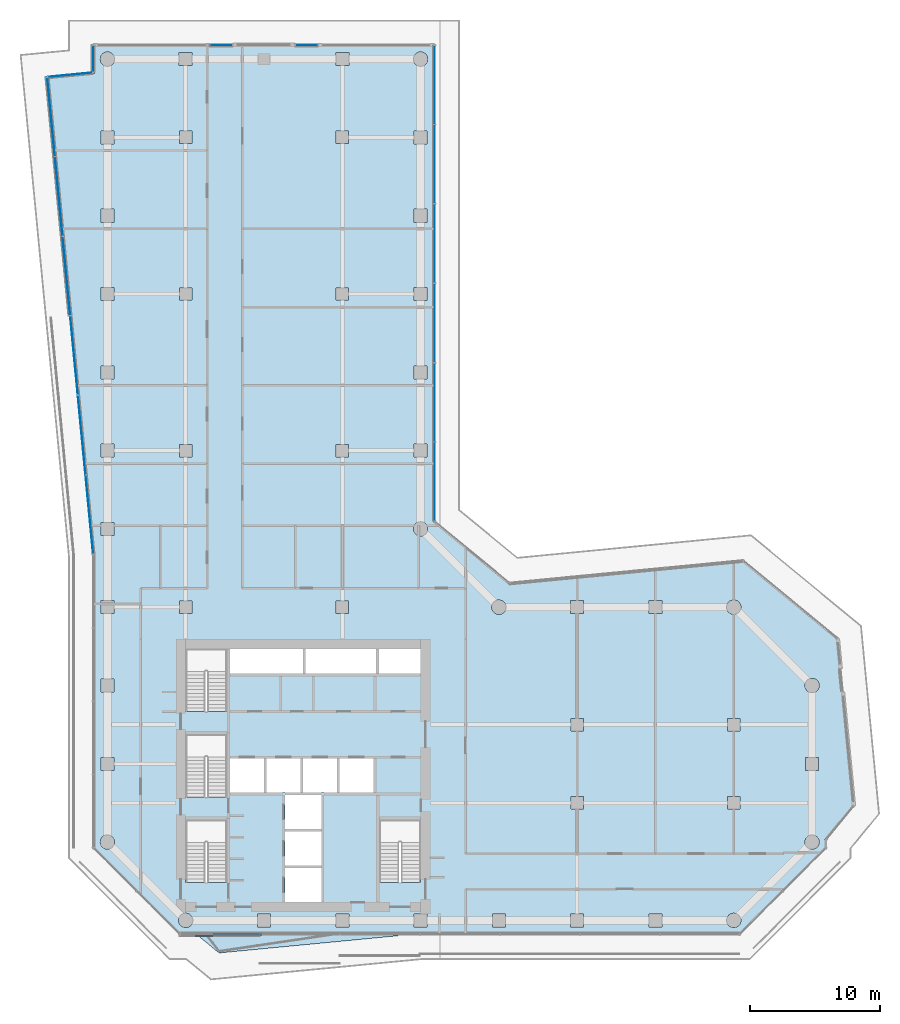
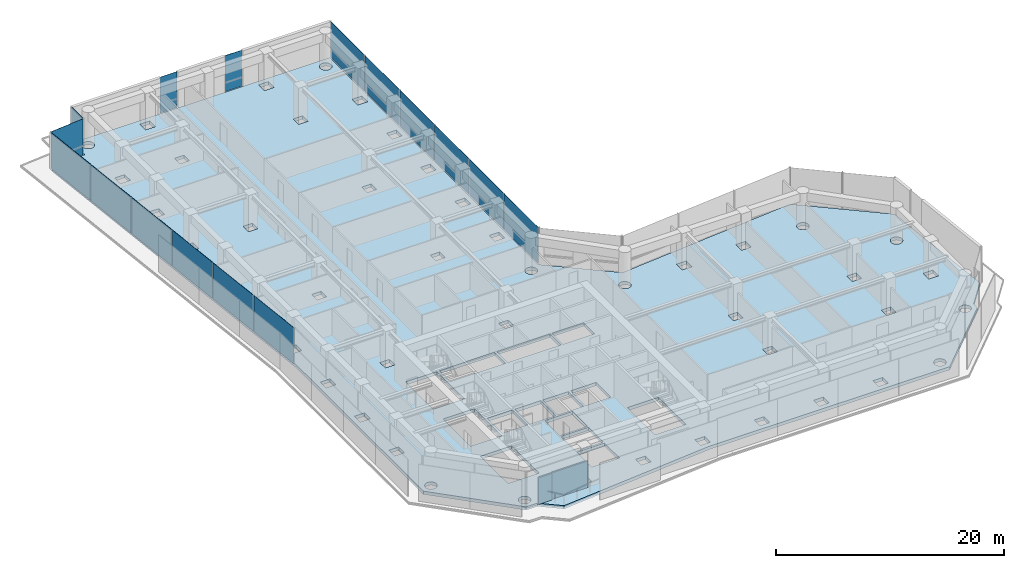
# One storey, part 22 of 28: 16 plates, 2 walls, 1 slab, 6 elements without a shape of their own.
"""IFC4 building model written with IfcOpenShell, lengths in metres."""

from ifc_helpers import new_model, si_unit, direction, frame, frame_2d, origin, origin_2d, place, context, subcontext, project, spatial, polyline, rectangle, outline, extrude, material, layer, layer_set, type_object, element, aggregate, save


model = new_model("IFC4")

# Units and contexts
model_context = context("Model", 3, precision=1e-05, world=origin(), true_north=direction((0.0, 1.0)))
body_context = subcontext(model_context, "Body", "Model", "MODEL_VIEW")
ifc_project = project(units=[si_unit("LENGTHUNIT", "METRE"), si_unit("AREAUNIT", "SQUARE_METRE"), si_unit("VOLUMEUNIT", "CUBIC_METRE"), si_unit("PLANEANGLEUNIT", "RADIAN"), si_unit("MASSUNIT", "GRAM", prefix="KILO")], contexts=[model_context])

# Site, building, storey
site_placement = place(None, origin())
site = spatial("IfcSite", under=ifc_project, at=site_placement, CompositionType="ELEMENT")
building_placement = place(site_placement, origin())
building = spatial("IfcBuilding", under=site, at=building_placement, Name="Welwitschia Terrace Campus", CompositionType="ELEMENT")
storey_placement = place(building_placement, frame((0.0, 0.0, 87.800048828125)))
storey = spatial("IfcBuildingStorey", under=building, at=storey_placement, Name="L19", CompositionType="ELEMENT", Elevation=87.800048828125)

# Curtain wall, plates
ifc_material_1 = material(Name="Bronze anodised aluminium", Category="aluminium")
ifc_layer_1 = layer(ifc_material_1, 0.1201171875)
ifc_layer_set_1 = layer_set([ifc_layer_1], Name="Bronze anodised aluminium")
curtain_wall_type = type_object("IfcCurtainWallType", Name="Curtain wall CW2 tower 6000", PredefinedType="NOTDEFINED", material=ifc_layer_set_1)
curtain_wall_1_placement = place(storey_placement, origin())
curtain_wall_1 = element("IfcCurtainWall", 1, at=curtain_wall_1_placement, inside=storey, type_object=curtain_wall_type, Name="CW L19.0.0", PredefinedType="NOTDEFINED")
ifc_material_2 = material(Name="Tinted bronze-grey glass", Category="glass")
ifc_layer_2 = layer(ifc_material_2, 0.028076171875)
ifc_layer_set_2 = layer_set([ifc_layer_2], Name="Tinted bronze-grey glass")
plate_type = type_object("IfcPlateType", Name="Glass panel 28 tinted", PredefinedType="CURTAIN_PANEL", material=ifc_layer_set_2)
plate_1_placement = place(storey_placement, frame((-4.314697265625, 65.569091796875, 0.0), z_axis=(0.0, 0.0, 1.0), x_axis=(0.09584575252, -0.995396198367, 0.0)))
plate_1 = element("IfcPlate", 2, at=plate_1_placement, type_object=plate_type, Name="Panel L19.0.0.0", PredefinedType="CURTAIN_PANEL", context=body_context, shape_type="SweptSolid", body=[
    extrude(rectangle(XDim=6.037353515625, YDim=0.028076171875, at=origin_2d()), origin(), (0.0, 0.0, 1.0), 3.85009765625),
])
plate_2_placement = place(storey_placement, frame((-3.728759765625, 59.48486328125, 0.0), z_axis=(0.0, 0.0, 1.0), x_axis=(0.09584575252, -0.995396198367, 0.0)))
plate_2 = element("IfcPlate", 3, at=plate_2_placement, type_object=plate_type, Name="Panel L19.0.0.1", PredefinedType="CURTAIN_PANEL", context=body_context, shape_type="SweptSolid", body=[
    extrude(rectangle(XDim=6.0673828125, YDim=0.028076171875, at=origin_2d()), origin(), (0.0, 0.0, 1.0), 3.85009765625),
])
plate_3_placement = place(storey_placement, frame((-3.1416015625, 53.3857421875, 0.0), z_axis=(0.0, 0.0, 1.0), x_axis=(0.09584575252, -0.995396198367, 0.0)))
plate_3 = element("IfcPlate", 4, at=plate_3_placement, type_object=plate_type, Name="Panel L19.0.0.2", PredefinedType="CURTAIN_PANEL", context=body_context, shape_type="SweptSolid", body=[
    extrude(rectangle(XDim=6.0673828125, YDim=0.028076171875, at=origin_2d()), origin(), (0.0, 0.0, 1.0), 3.85009765625),
])
plate_4_placement = place(storey_placement, frame((-2.55419921875, 47.28662109375, 0.0), z_axis=(0.0, 0.0, 1.0), x_axis=(0.09584575252, -0.995396198367, 0.0)))
plate_4 = element("IfcPlate", 5, at=plate_4_placement, type_object=plate_type, Name="Panel L19.0.0.3", PredefinedType="CURTAIN_PANEL", context=body_context, shape_type="SweptSolid", body=[
    extrude(rectangle(XDim=6.0673828125, YDim=0.028076171875, at=origin_2d()), origin(), (0.0, 0.0, 1.0), 3.85009765625),
])
plate_5_placement = place(storey_placement, frame((-1.967041015625, 41.1875, 0.0), z_axis=(0.0, 0.0, 1.0), x_axis=(0.09584575252, -0.995396198367, 0.0)))
plate_5 = element("IfcPlate", 6, at=plate_5_placement, type_object=plate_type, Name="Panel L19.0.0.4", PredefinedType="CURTAIN_PANEL", context=body_context, shape_type="SweptSolid", body=[
    extrude(rectangle(XDim=6.0673828125, YDim=0.028076171875, at=origin_2d()), origin(), (0.0, 0.0, 1.0), 3.85009765625),
])
plate_6_placement = place(storey_placement, frame((-1.381103515625, 35.103271484375, 0.0), z_axis=(0.0, 0.0, 1.0), x_axis=(0.09584575252, -0.995396198367, 0.0)))
plate_6 = element("IfcPlate", 7, at=plate_6_placement, type_object=plate_type, Name="Panel L19.0.0.5", PredefinedType="CURTAIN_PANEL", context=body_context, shape_type="SweptSolid", body=[
    extrude(rectangle(XDim=6.037353515625, YDim=0.028076171875, at=origin_2d()), origin(), (0.0, 0.0, 1.0), 3.85009765625),
])
aggregate(curtain_wall_1, [plate_1, plate_2, plate_3, plate_4, plate_5, plate_6])

curtain_wall_2_placement = place(storey_placement, origin())
curtain_wall_2 = element("IfcCurtainWall", 8, at=curtain_wall_2_placement, inside=storey, type_object=curtain_wall_type, Name="CW L19.11.0", PredefinedType="NOTDEFINED")
plate_7_placement = place(storey_placement, frame((25.0859375, 37.62353515625, 0.0), z_axis=(0.0, 0.0, 1.0), x_axis=(0.0, 1.0, 0.0)))
plate_7 = element("IfcPlate", 9, at=plate_7_placement, type_object=plate_type, Name="Panel L19.11.0.0", PredefinedType="CURTAIN_PANEL", context=body_context, shape_type="SweptSolid", body=[
    extrude(rectangle(XDim=5.996826171875, YDim=0.028076171875, at=origin_2d()), origin(), (0.0, 0.0, 1.0), 3.85009765625),
])
plate_8_placement = place(storey_placement, frame((25.0859375, 43.695556640625, 0.0), z_axis=(0.0, 0.0, 1.0), x_axis=(0.0, 1.0, 0.0)))
plate_8 = element("IfcPlate", 10, at=plate_8_placement, type_object=plate_type, Name="Panel L19.11.0.1", PredefinedType="CURTAIN_PANEL", context=body_context, shape_type="SweptSolid", body=[
    extrude(rectangle(XDim=6.02685546875, YDim=0.028076171875, at=origin_2d()), origin(), (0.0, 0.0, 1.0), 3.85009765625),
])
plate_9_placement = place(storey_placement, frame((25.0859375, 49.7822265625, 0.0), z_axis=(0.0, 0.0, 1.0), x_axis=(0.0, 1.0, 0.0)))
plate_9 = element("IfcPlate", 11, at=plate_9_placement, type_object=plate_type, Name="Panel L19.11.0.2", PredefinedType="CURTAIN_PANEL", context=body_context, shape_type="SweptSolid", body=[
    extrude(rectangle(XDim=6.02685546875, YDim=0.028076171875, at=origin_2d()), origin(), (0.0, 0.0, 1.0), 3.85009765625),
])
plate_10_placement = place(storey_placement, frame((25.0859375, 55.869140625, 0.0), z_axis=(0.0, 0.0, 1.0), x_axis=(0.0, 1.0, 0.0)))
plate_10 = element("IfcPlate", 12, at=plate_10_placement, type_object=plate_type, Name="Panel L19.11.0.3", PredefinedType="CURTAIN_PANEL", context=body_context, shape_type="SweptSolid", body=[
    extrude(rectangle(XDim=6.02685546875, YDim=0.028076171875, at=origin_2d()), origin(), (0.0, 0.0, 1.0), 3.85009765625),
])
plate_11_placement = place(storey_placement, frame((25.0859375, 61.955810546875, 0.0), z_axis=(0.0, 0.0, 1.0), x_axis=(0.0, 1.0, 0.0)))
plate_11 = element("IfcPlate", 13, at=plate_11_placement, type_object=plate_type, Name="Panel L19.11.0.4", PredefinedType="CURTAIN_PANEL", context=body_context, shape_type="SweptSolid", body=[
    extrude(rectangle(XDim=6.02685546875, YDim=0.028076171875, at=origin_2d()), origin(), (0.0, 0.0, 1.0), 3.85009765625),
])
plate_12_placement = place(storey_placement, frame((25.0859375, 68.027587890625, 0.0), z_axis=(0.0, 0.0, 1.0), x_axis=(0.0, 1.0, 0.0)))
plate_12 = element("IfcPlate", 14, at=plate_12_placement, type_object=plate_type, Name="Panel L19.11.0.5", PredefinedType="CURTAIN_PANEL", context=body_context, shape_type="SweptSolid", body=[
    extrude(rectangle(XDim=5.996826171875, YDim=0.028076171875, at=origin_2d()), origin(), (0.0, 0.0, 1.0), 3.85009765625),
])
aggregate(curtain_wall_2, [plate_7, plate_8, plate_9, plate_10, plate_11, plate_12])

# Curtain wall, plate
curtain_wall_3_placement = place(storey_placement, origin())
curtain_wall_3 = element("IfcCurtainWall", 15, at=curtain_wall_3_placement, inside=storey, type_object=curtain_wall_type, Name="CW L19.12.S0", PredefinedType="NOTDEFINED")
plate_13_placement = place(storey_placement, frame((15.271484375, 71.0859375, 0.0), z_axis=(0.0, 0.0, 1.0), x_axis=(-1.0, 0.0, 0.0)))
plate_13 = element("IfcPlate", 16, at=plate_13_placement, type_object=plate_type, Name="Panel L19.12.S0.0", PredefinedType="CURTAIN_PANEL", context=body_context, shape_type="SweptSolid", body=[
    extrude(rectangle(XDim=1.679931640625, YDim=0.028076171875, at=origin_2d()), origin(), (0.0, 0.0, 1.0), 3.85009765625),
])
aggregate(curtain_wall_3, [plate_13])

curtain_wall_4_placement = place(storey_placement, origin())
curtain_wall_4 = element("IfcCurtainWall", 17, at=curtain_wall_4_placement, inside=storey, type_object=curtain_wall_type, Name="CW L19.12.S1", PredefinedType="NOTDEFINED")
plate_14_placement = place(storey_placement, frame((8.728515625, 71.0859375, 0.0), z_axis=(0.0, 0.0, 1.0), x_axis=(-1.0, 0.0, 0.0)))
plate_14 = element("IfcPlate", 18, at=plate_14_placement, type_object=plate_type, Name="Panel L19.12.S1.0", PredefinedType="CURTAIN_PANEL", context=body_context, shape_type="SweptSolid", body=[
    extrude(rectangle(XDim=1.679931640625, YDim=0.028076171875, at=origin_2d()), origin(), (0.0, 0.0, 1.0), 3.85009765625),
])
aggregate(curtain_wall_4, [plate_14])

curtain_wall_5_placement = place(storey_placement, origin())
curtain_wall_5 = element("IfcCurtainWall", 19, at=curtain_wall_5_placement, inside=storey, type_object=curtain_wall_type, Name="CW L19.13.0", PredefinedType="NOTDEFINED")
plate_15_placement = place(storey_placement, frame((-1.0859375, 70.029541015625, 0.0), z_axis=(0.0, 0.0, 1.0), x_axis=(0.0, -1.0, 0.0)))
plate_15 = element("IfcPlate", 20, at=plate_15_placement, type_object=plate_type, Name="Panel L19.13.0.0", PredefinedType="CURTAIN_PANEL", context=body_context, shape_type="SweptSolid", body=[
    extrude(rectangle(XDim=1.992919921875, YDim=0.028076171875, at=origin_2d()), origin(), (0.0, 0.0, 1.0), 3.85009765625),
])
aggregate(curtain_wall_5, [plate_15])

curtain_wall_6_placement = place(storey_placement, origin())
curtain_wall_6 = element("IfcCurtainWall", 21, at=curtain_wall_6_placement, inside=storey, type_object=curtain_wall_type, Name="CW L19.14.0", PredefinedType="NOTDEFINED")
plate_16_placement = place(storey_placement, frame((-2.847900390625, 68.803466796875, 0.0), z_axis=(0.0, 0.0, 1.0), x_axis=(-0.995396198367, -0.09584575252, 0.0)))
plate_16 = element("IfcPlate", 22, at=plate_16_placement, type_object=plate_type, Name="Panel L19.14.0.0", PredefinedType="CURTAIN_PANEL", context=body_context, shape_type="SweptSolid", body=[
    extrude(rectangle(XDim=3.419921875, YDim=0.028076171875, at=origin_2d()), origin(), (0.0, 0.0, 1.0), 3.85009765625),
])
aggregate(curtain_wall_6, [plate_16])

# Slab
ifc_material_3 = material(Name="Concrete C40/50", Category="concrete")
ifc_layer_3 = layer(ifc_material_3, 0.35009765625)
ifc_layer_set_3 = layer_set([ifc_layer_3], Name="Concrete C40/50")
slab_type = type_object("IfcSlabType", Name="Suspended floor slab 350", PredefinedType="FLOOR", material=ifc_layer_set_3)
slab_placement = place(storey_placement, frame((0.0, 0.0, -0.35009765625)))
element("IfcSlab", 23, at=slab_placement, inside=storey, type_object=slab_type, Name="Floor slab L19", PredefinedType="FLOOR", context=body_context, shape_type="SweptSolid", body=[
    extrude(outline(polyline([(-1.0, 68.89501953125), (-1.0, 71.0), (25.0, 71.0), (25.0, 34.524658203125), (30.779296875, 29.7607421875), (48.6962890625, 31.48583984375), (55.883056640625, 25.5615234375), (57.112548828125, 12.792236328125), (55.0, 10.2294921875), (55.0, 9.585693359375), (48.414306640625, 3.0), (24.128662109375, 3.0), (8.55712890625, 1.500732421875), (6.73828125, 3.0), (5.585693359375, 3.0), (-1.0, 9.585693359375), (-1.0, 32.042724609375), (-4.515869140625, 68.556396484375), (-1.0, 68.89501953125)]), holes=[polyline([(6.388916015625, 3.611083984375), (6.457275390625, 3.6943359375), (6.508056640625, 3.78955078125), (6.53955078125, 3.892822265625), (6.550048828125, 4.0), (6.53955078125, 4.107177734375), (6.508056640625, 4.21044921875), (6.457275390625, 4.3056640625), (6.388916015625, 4.388916015625), (6.3056640625, 4.457275390625), (6.21044921875, 4.508056640625), (6.107177734375, 4.53955078125), (6.0, 4.550048828125), (5.892822265625, 4.53955078125), (5.78955078125, 4.508056640625), (5.6943359375, 4.457275390625), (5.611083984375, 4.388916015625), (5.542724609375, 4.3056640625), (5.491943359375, 4.21044921875), (5.46044921875, 4.107177734375), (5.449951171875, 4.0), (5.46044921875, 3.892822265625), (5.491943359375, 3.78955078125), (5.542724609375, 3.6943359375), (5.611083984375, 3.611083984375), (5.6943359375, 3.542724609375), (5.78955078125, 3.491943359375), (5.892822265625, 3.46044921875), (6.0, 3.449951171875), (6.107177734375, 3.46044921875), (6.21044921875, 3.491943359375), (6.3056640625, 3.542724609375), (6.388916015625, 3.611083984375)]), polyline([(6.0, 6.902099609375), (9.14990234375, 6.902099609375), (9.14990234375, 11.699951171875), (6.0, 11.699951171875), (6.0, 6.902099609375)]), polyline([(0.3056640625, 9.542724609375), (0.388916015625, 9.611083984375), (0.457275390625, 9.6943359375), (0.508056640625, 9.78955078125), (0.53955078125, 9.892822265625), (0.550048828125, 10.0), (0.53955078125, 10.107177734375), (0.508056640625, 10.21044921875), (0.457275390625, 10.3056640625), (0.388916015625, 10.388916015625), (0.3056640625, 10.457275390625), (0.21044921875, 10.508056640625), (0.107177734375, 10.53955078125), (0.0, 10.550048828125), (-0.107177734375, 10.53955078125), (-0.21044921875, 10.508056640625), (-0.3056640625, 10.457275390625), (-0.388916015625, 10.388916015625), (-0.457275390625, 10.3056640625), (-0.508056640625, 10.21044921875), (-0.53955078125, 10.107177734375), (-0.550048828125, 10.0), (-0.53955078125, 9.892822265625), (-0.508056640625, 9.78955078125), (-0.457275390625, 9.6943359375), (-0.388916015625, 9.611083984375), (-0.3056640625, 9.542724609375), (-0.21044921875, 9.491943359375), (-0.107177734375, 9.46044921875), (0.0, 9.449951171875), (0.107177734375, 9.46044921875), (0.21044921875, 9.491943359375), (0.3056640625, 9.542724609375)]), polyline([(9.39990234375, 13.800048828125), (12.0, 13.800048828125), (12.0, 16.39990234375), (9.39990234375, 16.39990234375), (9.39990234375, 13.800048828125)]), polyline([(6.0, 13.451904296875), (9.14990234375, 13.451904296875), (9.14990234375, 18.25), (6.0, 18.25), (6.0, 13.451904296875)]), polyline([(-0.5, 15.5), (0.5, 15.5), (0.5, 16.5), (-0.5, 16.5), (-0.5, 15.5)]), polyline([(-0.5, 21.5), (0.5, 21.5), (0.5, 22.5), (-0.5, 22.5), (-0.5, 21.5)]), polyline([(6.0, 20.001953125), (9.14990234375, 20.001953125), (9.14990234375, 24.800048828125), (6.0, 24.800048828125), (6.0, 20.001953125)]), polyline([(-0.5, 27.5), (0.5, 27.5), (0.5, 28.5), (-0.5, 28.5), (-0.5, 27.5)]), polyline([(5.52490234375, 27.52490234375), (6.47509765625, 27.52490234375), (6.47509765625, 28.47509765625), (5.52490234375, 28.47509765625), (5.52490234375, 27.52490234375)]), polyline([(-0.5, 33.5), (0.5, 33.5), (0.5, 34.5), (-0.5, 34.5), (-0.5, 33.5)]), polyline([(5.52490234375, 39.52490234375), (6.47509765625, 39.52490234375), (6.47509765625, 40.47509765625), (5.52490234375, 40.47509765625), (5.52490234375, 39.52490234375)]), polyline([(-0.5, 39.5), (0.5, 39.5), (0.5, 40.5), (-0.5, 40.5), (-0.5, 39.5)]), polyline([(-0.5, 45.5), (0.5, 45.5), (0.5, 46.5), (-0.5, 46.5), (-0.5, 45.5)]), polyline([(-0.5, 51.5), (0.5, 51.5), (0.5, 52.5), (-0.5, 52.5), (-0.5, 51.5)]), polyline([(6.47509765625, 51.52490234375), (6.47509765625, 52.47509765625), (5.52490234375, 52.47509765625), (5.52490234375, 51.52490234375), (6.47509765625, 51.52490234375)]), polyline([(-0.5, 57.5), (0.5, 57.5), (0.5, 58.5), (-0.5, 58.5), (-0.5, 57.5)]), polyline([(-0.5, 63.5), (0.5, 63.5), (0.5, 64.5), (-0.5, 64.5), (-0.5, 63.5)]), polyline([(5.52490234375, 63.52490234375), (6.47509765625, 63.52490234375), (6.47509765625, 64.47509765625), (5.52490234375, 64.47509765625), (5.52490234375, 63.52490234375)]), polyline([(0.3056640625, 69.542724609375), (0.388916015625, 69.611083984375), (0.457275390625, 69.6943359375), (0.508056640625, 69.78955078125), (0.53955078125, 69.892822265625), (0.550048828125, 70.0), (0.53955078125, 70.107177734375), (0.508056640625, 70.21044921875), (0.457275390625, 70.3056640625), (0.388916015625, 70.388916015625), (0.3056640625, 70.457275390625), (0.21044921875, 70.508056640625), (0.107177734375, 70.53955078125), (0.0, 70.550048828125), (-0.107177734375, 70.53955078125), (-0.21044921875, 70.508056640625), (-0.3056640625, 70.457275390625), (-0.388916015625, 70.388916015625), (-0.457275390625, 70.3056640625), (-0.508056640625, 70.21044921875), (-0.53955078125, 70.107177734375), (-0.550048828125, 70.0), (-0.53955078125, 69.892822265625), (-0.508056640625, 69.78955078125), (-0.457275390625, 69.6943359375), (-0.388916015625, 69.611083984375), (-0.3056640625, 69.542724609375), (-0.21044921875, 69.491943359375), (-0.107177734375, 69.46044921875), (0.0, 69.449951171875), (0.107177734375, 69.46044921875), (0.21044921875, 69.491943359375), (0.3056640625, 69.542724609375)]), polyline([(5.5, 69.5), (6.5, 69.5), (6.5, 70.5), (5.5, 70.5), (5.5, 69.5)]), polyline([(17.5, 3.5), (18.5, 3.5), (18.5, 4.5), (17.5, 4.5), (17.5, 3.5)]), polyline([(11.5, 3.5), (12.5, 3.5), (12.5, 4.5), (11.5, 4.5), (11.5, 3.5)]), polyline([(13.60009765625, 5.39990234375), (16.39990234375, 5.39990234375), (16.39990234375, 8.0), (13.60009765625, 8.0), (13.60009765625, 5.39990234375)]), polyline([(20.85009765625, 6.902099609375), (24.0, 6.902099609375), (24.0, 11.699951171875), (20.85009765625, 11.699951171875), (20.85009765625, 6.902099609375)]), polyline([(13.60009765625, 8.199951171875), (16.39990234375, 8.199951171875), (16.39990234375, 10.800048828125), (13.60009765625, 10.800048828125), (13.60009765625, 8.199951171875)]), polyline([(13.60009765625, 11.0), (16.39990234375, 11.0), (16.39990234375, 13.60009765625), (13.60009765625, 13.60009765625), (13.60009765625, 11.0)]), polyline([(12.199951171875, 13.800048828125), (14.800048828125, 13.800048828125), (14.800048828125, 16.39990234375), (12.199951171875, 16.39990234375), (12.199951171875, 13.800048828125)]), polyline([(15.0, 13.800048828125), (17.60009765625, 13.800048828125), (17.60009765625, 16.39990234375), (15.0, 16.39990234375), (15.0, 13.800048828125)]), polyline([(17.800048828125, 13.800048828125), (20.39990234375, 13.800048828125), (20.39990234375, 16.39990234375), (17.800048828125, 16.39990234375), (17.800048828125, 13.800048828125)]), polyline([(15.0, 22.89990234375), (15.0, 24.800048828125), (9.39990234375, 24.800048828125), (9.39990234375, 22.89990234375), (15.0, 22.89990234375)]), polyline([(15.199951171875, 22.89990234375), (20.60009765625, 22.89990234375), (20.60009765625, 24.800048828125), (15.199951171875, 24.800048828125), (15.199951171875, 22.89990234375)]), polyline([(20.800048828125, 22.89990234375), (24.0, 22.89990234375), (24.0, 24.800048828125), (20.800048828125, 24.800048828125), (20.800048828125, 22.89990234375)]), polyline([(17.52490234375, 27.52490234375), (18.47509765625, 27.52490234375), (18.47509765625, 28.47509765625), (17.52490234375, 28.47509765625), (17.52490234375, 27.52490234375)]), polyline([(24.3056640625, 33.542724609375), (24.388916015625, 33.611083984375), (24.457275390625, 33.6943359375), (24.508056640625, 33.78955078125), (24.53955078125, 33.892822265625), (24.550048828125, 34.0), (24.53955078125, 34.107177734375), (24.508056640625, 34.21044921875), (24.457275390625, 34.3056640625), (24.388916015625, 34.388916015625), (24.3056640625, 34.457275390625), (24.21044921875, 34.508056640625), (24.107177734375, 34.53955078125), (24.0, 34.550048828125), (23.892822265625, 34.53955078125), (23.78955078125, 34.508056640625), (23.6943359375, 34.457275390625), (23.611083984375, 34.388916015625), (23.542724609375, 34.3056640625), (23.491943359375, 34.21044921875), (23.46044921875, 34.107177734375), (23.449951171875, 34.0), (23.46044921875, 33.892822265625), (23.491943359375, 33.78955078125), (23.542724609375, 33.6943359375), (23.611083984375, 33.611083984375), (23.6943359375, 33.542724609375), (23.78955078125, 33.491943359375), (23.892822265625, 33.46044921875), (24.0, 33.449951171875), (24.107177734375, 33.46044921875), (24.21044921875, 33.491943359375), (24.3056640625, 33.542724609375)]), polyline([(17.52490234375, 39.52490234375), (18.47509765625, 39.52490234375), (18.47509765625, 40.47509765625), (17.52490234375, 40.47509765625), (17.52490234375, 39.52490234375)]), polyline([(17.52490234375, 51.52490234375), (18.47509765625, 51.52490234375), (18.47509765625, 52.47509765625), (17.52490234375, 52.47509765625), (17.52490234375, 51.52490234375)]), polyline([(23.5, 57.5), (24.5, 57.5), (24.5, 58.5), (23.5, 58.5), (23.5, 57.5)]), polyline([(17.52490234375, 63.52490234375), (18.47509765625, 63.52490234375), (18.47509765625, 64.47509765625), (17.52490234375, 64.47509765625), (17.52490234375, 63.52490234375)]), polyline([(23.5, 63.5), (24.5, 63.5), (24.5, 64.5), (23.5, 64.5), (23.5, 63.5)]), polyline([(17.5, 69.5), (18.5, 69.5), (18.5, 70.5), (17.5, 70.5), (17.5, 69.5)]), polyline([(24.3056640625, 69.542724609375), (24.388916015625, 69.611083984375), (24.457275390625, 69.6943359375), (24.508056640625, 69.78955078125), (24.53955078125, 69.892822265625), (24.550048828125, 70.0), (24.53955078125, 70.107177734375), (24.508056640625, 70.21044921875), (24.457275390625, 70.3056640625), (24.388916015625, 70.388916015625), (24.3056640625, 70.457275390625), (24.21044921875, 70.508056640625), (24.107177734375, 70.53955078125), (24.0, 70.550048828125), (23.892822265625, 70.53955078125), (23.78955078125, 70.508056640625), (23.6943359375, 70.457275390625), (23.611083984375, 70.388916015625), (23.542724609375, 70.3056640625), (23.491943359375, 70.21044921875), (23.46044921875, 70.107177734375), (23.449951171875, 70.0), (23.46044921875, 69.892822265625), (23.491943359375, 69.78955078125), (23.542724609375, 69.6943359375), (23.611083984375, 69.611083984375), (23.6943359375, 69.542724609375), (23.78955078125, 69.491943359375), (23.892822265625, 69.46044921875), (24.0, 69.449951171875), (24.107177734375, 69.46044921875), (24.21044921875, 69.491943359375), (24.3056640625, 69.542724609375)]), polyline([(23.5, 3.5), (24.5, 3.5), (24.5, 4.5), (23.5, 4.5), (23.5, 3.5)]), polyline([(29.5, 3.5), (30.5, 3.5), (30.5, 4.5), (29.5, 4.5), (29.5, 3.5)]), polyline([(35.5, 3.5), (36.5, 3.5), (36.5, 4.5), (35.5, 4.5), (35.5, 3.5)]), polyline([(41.5, 3.5), (42.5, 3.5), (42.5, 4.5), (41.5, 4.5), (41.5, 3.5)]), polyline([(48.3056640625, 3.542724609375), (48.388916015625, 3.611083984375), (48.457275390625, 3.6943359375), (48.508056640625, 3.78955078125), (48.53955078125, 3.892822265625), (48.550048828125, 4.0), (48.53955078125, 4.107177734375), (48.508056640625, 4.21044921875), (48.457275390625, 4.3056640625), (48.388916015625, 4.388916015625), (48.3056640625, 4.457275390625), (48.21044921875, 4.508056640625), (48.107177734375, 4.53955078125), (48.0, 4.550048828125), (47.892822265625, 4.53955078125), (47.78955078125, 4.508056640625), (47.6943359375, 4.457275390625), (47.611083984375, 4.388916015625), (47.542724609375, 4.3056640625), (47.491943359375, 4.21044921875), (47.46044921875, 4.107177734375), (47.449951171875, 4.0), (47.46044921875, 3.892822265625), (47.491943359375, 3.78955078125), (47.542724609375, 3.6943359375), (47.611083984375, 3.611083984375), (47.6943359375, 3.542724609375), (47.78955078125, 3.491943359375), (47.892822265625, 3.46044921875), (48.0, 3.449951171875), (48.107177734375, 3.46044921875), (48.21044921875, 3.491943359375), (48.3056640625, 3.542724609375)]), polyline([(54.3056640625, 9.542724609375), (54.388916015625, 9.611083984375), (54.457275390625, 9.6943359375), (54.508056640625, 9.78955078125), (54.53955078125, 9.892822265625), (54.550048828125, 10.0), (54.53955078125, 10.107177734375), (54.508056640625, 10.21044921875), (54.457275390625, 10.3056640625), (54.388916015625, 10.388916015625), (54.3056640625, 10.457275390625), (54.21044921875, 10.508056640625), (54.107177734375, 10.53955078125), (54.0, 10.550048828125), (53.892822265625, 10.53955078125), (53.78955078125, 10.508056640625), (53.6943359375, 10.457275390625), (53.611083984375, 10.388916015625), (53.542724609375, 10.3056640625), (53.491943359375, 10.21044921875), (53.46044921875, 10.107177734375), (53.449951171875, 10.0), (53.46044921875, 9.892822265625), (53.491943359375, 9.78955078125), (53.542724609375, 9.6943359375), (53.611083984375, 9.611083984375), (53.6943359375, 9.542724609375), (53.78955078125, 9.491943359375), (53.892822265625, 9.46044921875), (54.0, 9.449951171875), (54.107177734375, 9.46044921875), (54.21044921875, 9.491943359375), (54.3056640625, 9.542724609375)]), polyline([(47.52490234375, 12.52490234375), (48.47509765625, 12.52490234375), (48.47509765625, 13.47509765625), (47.52490234375, 13.47509765625), (47.52490234375, 12.52490234375)]), polyline([(35.52490234375, 12.52490234375), (36.47509765625, 12.52490234375), (36.47509765625, 13.47509765625), (35.52490234375, 13.47509765625), (35.52490234375, 12.52490234375)]), polyline([(53.5, 15.5), (54.5, 15.5), (54.5, 16.5), (53.5, 16.5), (53.5, 15.5)]), polyline([(47.52490234375, 18.52490234375), (48.47509765625, 18.52490234375), (48.47509765625, 19.47509765625), (47.52490234375, 19.47509765625), (47.52490234375, 18.52490234375)]), polyline([(35.52490234375, 18.52490234375), (36.47509765625, 18.52490234375), (36.47509765625, 19.47509765625), (35.52490234375, 19.47509765625), (35.52490234375, 18.52490234375)]), polyline([(54.3056640625, 21.542724609375), (54.388916015625, 21.611083984375), (54.457275390625, 21.6943359375), (54.508056640625, 21.78955078125), (54.53955078125, 21.892822265625), (54.550048828125, 22.0), (54.53955078125, 22.107177734375), (54.508056640625, 22.21044921875), (54.457275390625, 22.3056640625), (54.388916015625, 22.388916015625), (54.3056640625, 22.457275390625), (54.21044921875, 22.508056640625), (54.107177734375, 22.53955078125), (54.0, 22.550048828125), (53.892822265625, 22.53955078125), (53.78955078125, 22.508056640625), (53.6943359375, 22.457275390625), (53.611083984375, 22.388916015625), (53.542724609375, 22.3056640625), (53.491943359375, 22.21044921875), (53.46044921875, 22.107177734375), (53.449951171875, 22.0), (53.46044921875, 21.892822265625), (53.491943359375, 21.78955078125), (53.542724609375, 21.6943359375), (53.611083984375, 21.611083984375), (53.6943359375, 21.542724609375), (53.78955078125, 21.491943359375), (53.892822265625, 21.46044921875), (54.0, 21.449951171875), (54.107177734375, 21.46044921875), (54.21044921875, 21.491943359375), (54.3056640625, 21.542724609375)]), polyline([(41.5, 27.5), (42.5, 27.5), (42.5, 28.5), (41.5, 28.5), (41.5, 27.5)]), polyline([(35.5, 27.5), (36.5, 27.5), (36.5, 28.5), (35.5, 28.5), (35.5, 27.5)]), polyline([(30.3056640625, 27.542724609375), (30.388916015625, 27.611083984375), (30.457275390625, 27.6943359375), (30.508056640625, 27.78955078125), (30.53955078125, 27.892822265625), (30.550048828125, 28.0), (30.53955078125, 28.107177734375), (30.508056640625, 28.21044921875), (30.457275390625, 28.3056640625), (30.388916015625, 28.388916015625), (30.3056640625, 28.457275390625), (30.21044921875, 28.508056640625), (30.107177734375, 28.53955078125), (30.0, 28.550048828125), (29.892822265625, 28.53955078125), (29.78955078125, 28.508056640625), (29.6943359375, 28.457275390625), (29.611083984375, 28.388916015625), (29.542724609375, 28.3056640625), (29.491943359375, 28.21044921875), (29.46044921875, 28.107177734375), (29.449951171875, 28.0), (29.46044921875, 27.892822265625), (29.491943359375, 27.78955078125), (29.542724609375, 27.6943359375), (29.611083984375, 27.611083984375), (29.6943359375, 27.542724609375), (29.78955078125, 27.491943359375), (29.892822265625, 27.46044921875), (30.0, 27.449951171875), (30.107177734375, 27.46044921875), (30.21044921875, 27.491943359375), (30.3056640625, 27.542724609375)]), polyline([(48.3056640625, 27.542724609375), (48.388916015625, 27.611083984375), (48.457275390625, 27.6943359375), (48.508056640625, 27.78955078125), (48.53955078125, 27.892822265625), (48.550048828125, 28.0), (48.53955078125, 28.107177734375), (48.508056640625, 28.21044921875), (48.457275390625, 28.3056640625), (48.388916015625, 28.388916015625), (48.3056640625, 28.457275390625), (48.21044921875, 28.508056640625), (48.107177734375, 28.53955078125), (48.0, 28.550048828125), (47.892822265625, 28.53955078125), (47.78955078125, 28.508056640625), (47.6943359375, 28.457275390625), (47.611083984375, 28.388916015625), (47.542724609375, 28.3056640625), (47.491943359375, 28.21044921875), (47.46044921875, 28.107177734375), (47.449951171875, 28.0), (47.46044921875, 27.892822265625), (47.491943359375, 27.78955078125), (47.542724609375, 27.6943359375), (47.611083984375, 27.611083984375), (47.6943359375, 27.542724609375), (47.78955078125, 27.491943359375), (47.892822265625, 27.46044921875), (48.0, 27.449951171875), (48.107177734375, 27.46044921875), (48.21044921875, 27.491943359375), (48.3056640625, 27.542724609375)]), polyline([(23.5, 39.5), (24.5, 39.5), (24.5, 40.5), (23.5, 40.5), (23.5, 39.5)]), polyline([(23.5, 45.5), (24.5, 45.5), (24.5, 46.5), (23.5, 46.5), (23.5, 45.5)]), polyline([(23.5, 51.5), (24.5, 51.5), (24.5, 52.5), (23.5, 52.5), (23.5, 51.5)])]), origin(), (0.0, 0.0, 1.0), 0.35009765625),
])

# Walls
ifc_material_4 = material(Name="Gypsum board on steel studs", Category="steel")
ifc_layer_4 = layer(ifc_material_4, 0.14990234375)
ifc_layer_set_4 = layer_set([ifc_layer_4], Name="Gypsum board on steel studs")
wall_type = type_object("IfcWallType", Name="Corridor partition 150 EI 30", PredefinedType="PARTITIONING", material=ifc_layer_set_4)
wall_1_placement = place(storey_placement, frame((6.739990234375, 2.8701171875, 0.0), z_axis=(0.0, 0.0, 1.0), x_axis=(1.0, 0.0, 0.0)))
element("IfcWall", 24, at=wall_1_placement, inside=storey, type_object=wall_type, Name="Partition", PredefinedType="PARTITIONING", context=body_context, shape_type="SweptSolid", body=[
    extrude(rectangle(XDim=1.320068359375, YDim=0.14990234375, at=frame_2d((0.66015625, 0.0))), origin(), (0.0, 0.0, 1.0), 2.829833984375),
])
wall_2_placement = place(storey_placement, frame((8.10009765625, 2.949951171875, 0.0), z_axis=(0.0, 0.0, 1.0), x_axis=(1.0, 0.0, 0.0)))
element("IfcWall", 25, at=wall_2_placement, inside=storey, type_object=wall_type, Name="Partition", PredefinedType="PARTITIONING", context=body_context, shape_type="SweptSolid", body=[
    extrude(rectangle(XDim=3.68994140625, YDim=0.14990234375, at=frame_2d((1.844970703125, 0.0))), origin(), (0.0, 0.0, 1.0), 2.829833984375),
])

save(model, "model.ifc")
